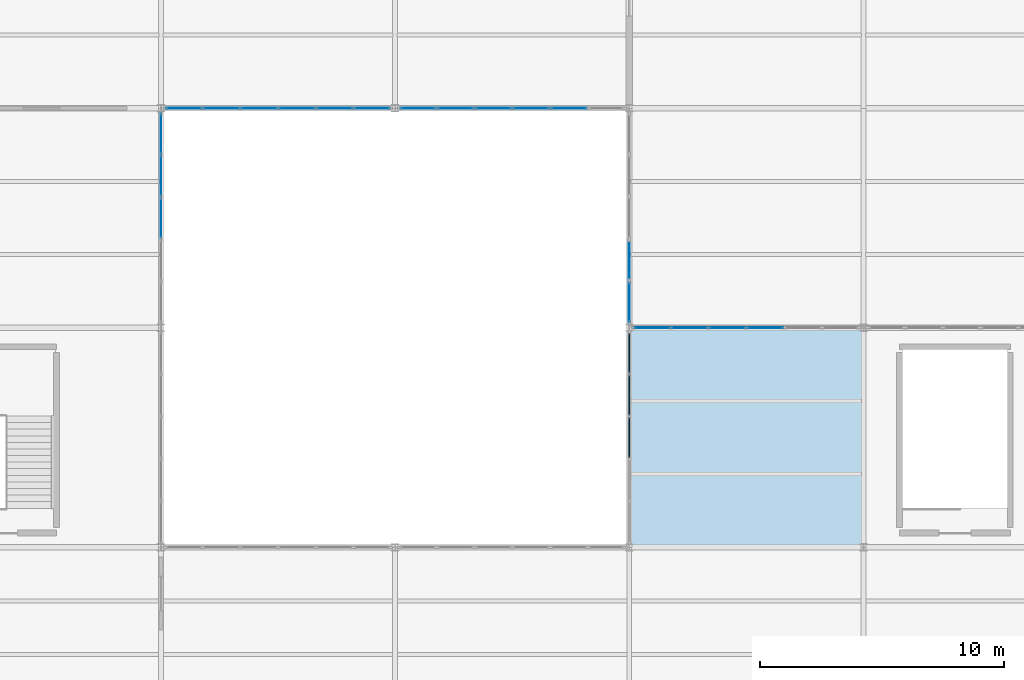
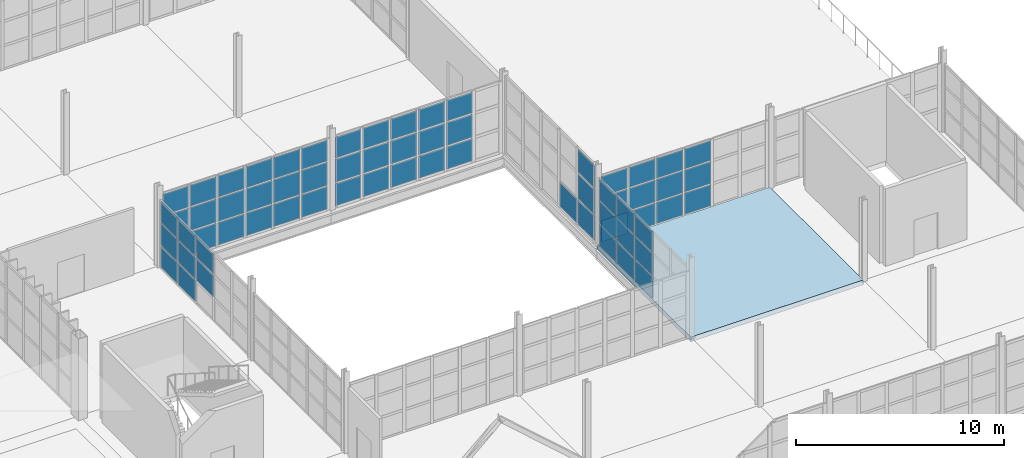
# One storey, part 91 of 120: 66 plates, 1 slab, 6 elements without a shape of their own.
"""IFC4 building model written with IfcOpenShell, lengths in metres."""

from ifc_helpers import new_model, si_unit, direction, frame, origin, origin_2d, place, context, subcontext, project, spatial, polyline, rectangle, outline, extrude, material, layer, layer_set, type_object, element, aggregate, save


model = new_model("IFC4")

# Units and contexts
model_context = context("Model", 3, precision=1e-05, world=origin(), true_north=direction((0.0, 1.0)))
body_context = subcontext(model_context, "Body", "Model", "MODEL_VIEW")
ifc_project = project(units=[si_unit("LENGTHUNIT", "METRE"), si_unit("AREAUNIT", "SQUARE_METRE"), si_unit("VOLUMEUNIT", "CUBIC_METRE"), si_unit("PLANEANGLEUNIT", "RADIAN"), si_unit("MASSUNIT", "GRAM", prefix="KILO")], contexts=[model_context])

# Site, building, storey
site_placement = place(None, origin())
site = spatial("IfcSite", under=ifc_project, at=site_placement, CompositionType="ELEMENT")
building_placement = place(site_placement, origin())
building = spatial("IfcBuilding", under=site, at=building_placement, Name="Zarnetskaya Central Station", CompositionType="ELEMENT")
storey_placement = place(building_placement, frame((0.0, 0.0, 5.39990234375)))
storey = spatial("IfcBuildingStorey", under=building, at=storey_placement, Name="L01", CompositionType="ELEMENT", Elevation=5.39990234375)

# Curtain wall, plates
ifc_material_1 = material(Name="Low-E insulated glass", Category="glass")
ifc_layer_1 = layer(ifc_material_1, 0.159912109375, Name="Low-E insulated glass", Category="glass")
ifc_layer_set_1 = layer_set([ifc_layer_1], Name="Low-E insulated glass")
curtain_wall_type = type_object("IfcCurtainWallType", Name="CW-SYS-06", PredefinedType="USERDEFINED", material=ifc_layer_set_1)
curtain_wall_1_placement = place(storey_placement, origin())
curtain_wall_1 = element("IfcCurtainWall", 1, at=curtain_wall_1_placement, inside=storey, type_object=curtain_wall_type, Name="Curtain wall CW-L01-130", ObjectType="CURTAIN WALL", PredefinedType="USERDEFINED")
ifc_layer_2 = layer(ifc_material_1, 0.028076171875, Name="Low-E insulated glass", Category="glass")
ifc_layer_set_2 = layer_set([ifc_layer_2], Name="Low-E insulated glass")
plate_type_1 = type_object("IfcPlateType", Name="CW-PAN-28", PredefinedType="CURTAIN_PANEL", material=ifc_layer_set_2)
plate_1_placement = place(storey_placement, frame((151.125, 31.199951171875, 0.080078125), z_axis=(0.0, 0.0, 1.0), x_axis=(-1.0, 0.0, 0.0)))
plate_1 = element("IfcPlate", 2, at=plate_1_placement, type_object=plate_type_1, Name="CW-02 panel 2.1", PredefinedType="CURTAIN_PANEL", context=body_context, shape_type="SweptSolid", body=[
    extrude(rectangle(XDim=1.469970703125, YDim=0.028076171875, at=origin_2d()), origin(), (0.0, 0.0, 1.0), 1.30810546875),
])
plate_2_placement = place(storey_placement, frame((151.125, 31.199951171875, 1.46826171875), z_axis=(0.0, 0.0, 1.0), x_axis=(-1.0, 0.0, 0.0)))
plate_2 = element("IfcPlate", 3, at=plate_2_placement, type_object=plate_type_1, Name="CW-02 panel 2.2", PredefinedType="CURTAIN_PANEL", context=body_context, shape_type="SweptSolid", body=[
    extrude(rectangle(XDim=1.469970703125, YDim=0.028076171875, at=origin_2d()), origin(), (0.0, 0.0, 1.0), 1.347900390625),
])
plate_3_placement = place(storey_placement, frame((151.125, 31.199951171875, 2.89599609375), z_axis=(0.0, 0.0, 1.0), x_axis=(-1.0, 0.0, 0.0)))
plate_3 = element("IfcPlate", 4, at=plate_3_placement, type_object=plate_type_1, Name="CW-02 panel 2.3", PredefinedType="CURTAIN_PANEL", context=body_context, shape_type="SweptSolid", body=[
    extrude(rectangle(XDim=1.469970703125, YDim=0.028076171875, at=origin_2d()), origin(), (0.0, 0.0, 1.0), 1.22412109375),
])
plate_4_placement = place(storey_placement, frame((149.574951171875, 31.199951171875, 0.080078125), z_axis=(0.0, 0.0, 1.0), x_axis=(-1.0, 0.0, 0.0)))
plate_4 = element("IfcPlate", 5, at=plate_4_placement, type_object=plate_type_1, Name="CW-02 panel 3.1", PredefinedType="CURTAIN_PANEL", context=body_context, shape_type="SweptSolid", body=[
    extrude(rectangle(XDim=1.469970703125, YDim=0.028076171875, at=origin_2d()), origin(), (0.0, 0.0, 1.0), 1.30810546875),
])
plate_5_placement = place(storey_placement, frame((149.574951171875, 31.199951171875, 1.46826171875), z_axis=(0.0, 0.0, 1.0), x_axis=(-1.0, 0.0, 0.0)))
plate_5 = element("IfcPlate", 6, at=plate_5_placement, type_object=plate_type_1, Name="CW-02 panel 3.2", PredefinedType="CURTAIN_PANEL", context=body_context, shape_type="SweptSolid", body=[
    extrude(rectangle(XDim=1.469970703125, YDim=0.028076171875, at=origin_2d()), origin(), (0.0, 0.0, 1.0), 1.347900390625),
])
plate_6_placement = place(storey_placement, frame((149.574951171875, 31.199951171875, 2.89599609375), z_axis=(0.0, 0.0, 1.0), x_axis=(-1.0, 0.0, 0.0)))
plate_6 = element("IfcPlate", 7, at=plate_6_placement, type_object=plate_type_1, Name="CW-02 panel 3.3", PredefinedType="CURTAIN_PANEL", context=body_context, shape_type="SweptSolid", body=[
    extrude(rectangle(XDim=1.469970703125, YDim=0.028076171875, at=origin_2d()), origin(), (0.0, 0.0, 1.0), 1.22412109375),
])
plate_7_placement = place(storey_placement, frame((148.02490234375, 31.199951171875, 0.080078125), z_axis=(0.0, 0.0, 1.0), x_axis=(-1.0, 0.0, 0.0)))
plate_7 = element("IfcPlate", 8, at=plate_7_placement, type_object=plate_type_1, Name="CW-02 panel 4.1", PredefinedType="CURTAIN_PANEL", context=body_context, shape_type="SweptSolid", body=[
    extrude(rectangle(XDim=1.469970703125, YDim=0.028076171875, at=origin_2d()), origin(), (0.0, 0.0, 1.0), 1.30810546875),
])
plate_8_placement = place(storey_placement, frame((148.02490234375, 31.199951171875, 1.46826171875), z_axis=(0.0, 0.0, 1.0), x_axis=(-1.0, 0.0, 0.0)))
plate_8 = element("IfcPlate", 9, at=plate_8_placement, type_object=plate_type_1, Name="CW-02 panel 4.2", PredefinedType="CURTAIN_PANEL", context=body_context, shape_type="SweptSolid", body=[
    extrude(rectangle(XDim=1.469970703125, YDim=0.028076171875, at=origin_2d()), origin(), (0.0, 0.0, 1.0), 1.347900390625),
])
plate_9_placement = place(storey_placement, frame((148.02490234375, 31.199951171875, 2.89599609375), z_axis=(0.0, 0.0, 1.0), x_axis=(-1.0, 0.0, 0.0)))
plate_9 = element("IfcPlate", 10, at=plate_9_placement, type_object=plate_type_1, Name="CW-02 panel 4.3", PredefinedType="CURTAIN_PANEL", context=body_context, shape_type="SweptSolid", body=[
    extrude(rectangle(XDim=1.469970703125, YDim=0.028076171875, at=origin_2d()), origin(), (0.0, 0.0, 1.0), 1.22412109375),
])
plate_10_placement = place(storey_placement, frame((146.47509765625, 31.199951171875, 0.080078125), z_axis=(0.0, 0.0, 1.0), x_axis=(-1.0, 0.0, 0.0)))
plate_10 = element("IfcPlate", 11, at=plate_10_placement, type_object=plate_type_1, Name="CW-02 panel 5.1", PredefinedType="CURTAIN_PANEL", context=body_context, shape_type="SweptSolid", body=[
    extrude(rectangle(XDim=1.469970703125, YDim=0.028076171875, at=origin_2d()), origin(), (0.0, 0.0, 1.0), 1.30810546875),
])
plate_11_placement = place(storey_placement, frame((146.47509765625, 31.199951171875, 1.46826171875), z_axis=(0.0, 0.0, 1.0), x_axis=(-1.0, 0.0, 0.0)))
plate_11 = element("IfcPlate", 12, at=plate_11_placement, type_object=plate_type_1, Name="CW-02 panel 5.2", PredefinedType="CURTAIN_PANEL", context=body_context, shape_type="SweptSolid", body=[
    extrude(rectangle(XDim=1.469970703125, YDim=0.028076171875, at=origin_2d()), origin(), (0.0, 0.0, 1.0), 1.347900390625),
])
plate_12_placement = place(storey_placement, frame((146.47509765625, 31.199951171875, 2.89599609375), z_axis=(0.0, 0.0, 1.0), x_axis=(-1.0, 0.0, 0.0)))
plate_12 = element("IfcPlate", 13, at=plate_12_placement, type_object=plate_type_1, Name="CW-02 panel 5.3", PredefinedType="CURTAIN_PANEL", context=body_context, shape_type="SweptSolid", body=[
    extrude(rectangle(XDim=1.469970703125, YDim=0.028076171875, at=origin_2d()), origin(), (0.0, 0.0, 1.0), 1.22412109375),
])
plate_13_placement = place(storey_placement, frame((144.945068359375, 31.199951171875, 0.080078125), z_axis=(0.0, 0.0, 1.0), x_axis=(-1.0, 0.0, 0.0)))
plate_13 = element("IfcPlate", 14, at=plate_13_placement, type_object=plate_type_1, Name="CW-02 panel 6.1", PredefinedType="CURTAIN_PANEL", context=body_context, shape_type="SweptSolid", body=[
    extrude(rectangle(XDim=1.429931640625, YDim=0.028076171875, at=origin_2d()), origin(), (0.0, 0.0, 1.0), 1.30810546875),
])
plate_14_placement = place(storey_placement, frame((144.945068359375, 31.199951171875, 1.46826171875), z_axis=(0.0, 0.0, 1.0), x_axis=(-1.0, 0.0, 0.0)))
plate_14 = element("IfcPlate", 15, at=plate_14_placement, type_object=plate_type_1, Name="CW-02 panel 6.2", PredefinedType="CURTAIN_PANEL", context=body_context, shape_type="SweptSolid", body=[
    extrude(rectangle(XDim=1.429931640625, YDim=0.028076171875, at=origin_2d()), origin(), (0.0, 0.0, 1.0), 1.347900390625),
])
plate_15_placement = place(storey_placement, frame((144.945068359375, 31.199951171875, 2.89599609375), z_axis=(0.0, 0.0, 1.0), x_axis=(-1.0, 0.0, 0.0)))
plate_15 = element("IfcPlate", 16, at=plate_15_placement, type_object=plate_type_1, Name="CW-02 panel 6.3", PredefinedType="CURTAIN_PANEL", context=body_context, shape_type="SweptSolid", body=[
    extrude(rectangle(XDim=1.429931640625, YDim=0.028076171875, at=origin_2d()), origin(), (0.0, 0.0, 1.0), 1.22412109375),
])
aggregate(curtain_wall_1, [plate_1, plate_2, plate_3, plate_4, plate_5, plate_6, plate_7, plate_8, plate_9, plate_10, plate_11, plate_12, plate_13, plate_14, plate_15])

curtain_wall_2_placement = place(storey_placement, origin())
curtain_wall_2 = element("IfcCurtainWall", 17, at=curtain_wall_2_placement, inside=storey, type_object=curtain_wall_type, Name="Curtain wall CW-L01-116", ObjectType="CURTAIN WALL", PredefinedType="USERDEFINED")
ifc_layer_3 = layer(ifc_material_1, 0.031982421875, Name="Low-E insulated glass", Category="glass")
ifc_layer_set_3 = layer_set([ifc_layer_3], Name="Low-E insulated glass")
plate_type_2 = type_object("IfcPlateType", Name="CW-PAN-32", PredefinedType="CURTAIN_PANEL", material=ifc_layer_set_3)
plate_16_placement = place(storey_placement, frame((153.60009765625, 24.9599609375, 0.080078125), z_axis=(0.0, 0.0, 1.0), x_axis=(0.0, -1.0, 0.0)))
plate_16 = element("IfcPlate", 18, at=plate_16_placement, type_object=plate_type_2, Name="CW-02 panel 4.1", PredefinedType="CURTAIN_PANEL", context=body_context, shape_type="SweptSolid", body=[
    extrude(rectangle(XDim=1.659912109375, YDim=0.031982421875, at=origin_2d()), origin(), (0.0, 0.0, 1.0), 1.43408203125),
])
plate_17_placement = place(storey_placement, frame((153.60009765625, 23.239990234375, 0.080078125), z_axis=(0.0, 0.0, 1.0), x_axis=(0.0, -1.0, 0.0)))
plate_17 = element("IfcPlate", 19, at=plate_17_placement, type_object=plate_type_2, Name="CW-02 panel 5.1", PredefinedType="CURTAIN_PANEL", context=body_context, shape_type="SweptSolid", body=[
    extrude(rectangle(XDim=1.6201171875, YDim=0.031982421875, at=origin_2d()), origin(), (0.0, 0.0, 1.0), 1.43408203125),
])
plate_18_placement = place(storey_placement, frame((153.60009765625, 23.239990234375, 1.593994140625), z_axis=(0.0, 0.0, 1.0), x_axis=(0.0, -1.0, 0.0)))
plate_18 = element("IfcPlate", 20, at=plate_18_placement, type_object=plate_type_2, Name="CW-02 panel 5.2", PredefinedType="CURTAIN_PANEL", context=body_context, shape_type="SweptSolid", body=[
    extrude(rectangle(XDim=1.6201171875, YDim=0.031982421875, at=origin_2d()), origin(), (0.0, 0.0, 1.0), 1.47412109375),
])
plate_19_placement = place(storey_placement, frame((153.60009765625, 23.239990234375, 3.14794921875), z_axis=(0.0, 0.0, 1.0), x_axis=(0.0, -1.0, 0.0)))
plate_19 = element("IfcPlate", 21, at=plate_19_placement, type_object=plate_type_2, Name="CW-02 panel 5.3", PredefinedType="CURTAIN_PANEL", context=body_context, shape_type="SweptSolid", body=[
    extrude(rectangle(XDim=1.6201171875, YDim=0.031982421875, at=origin_2d()), origin(), (0.0, 0.0, 1.0), 1.342041015625),
])
aggregate(curtain_wall_2, [plate_16, plate_17, plate_18, plate_19])

curtain_wall_3_placement = place(storey_placement, origin())
curtain_wall_3 = element("IfcCurtainWall", 22, at=curtain_wall_3_placement, inside=storey, type_object=curtain_wall_type, Name="Curtain wall CW-L01-131", ObjectType="CURTAIN WALL", PredefinedType="USERDEFINED")
plate_20_placement = place(storey_placement, frame((143.0576171875, 31.199951171875, 0.0703125), z_axis=(0.0, 0.0, 1.0), x_axis=(-1.0, 0.0, 0.0)))
plate_20 = element("IfcPlate", 23, at=plate_20_placement, type_object=plate_type_2, Name="CW-02 panel 1.1", PredefinedType="CURTAIN_PANEL", context=body_context, shape_type="SweptSolid", body=[
    extrude(rectangle(XDim=1.445068359375, YDim=0.031982421875, at=origin_2d()), origin(), (0.0, 0.0, 1.0), 1.322998046875),
])
plate_21_placement = place(storey_placement, frame((143.0576171875, 31.199951171875, 1.463134765625), z_axis=(0.0, 0.0, 1.0), x_axis=(-1.0, 0.0, 0.0)))
plate_21 = element("IfcPlate", 24, at=plate_21_placement, type_object=plate_type_2, Name="CW-02 panel 1.2", PredefinedType="CURTAIN_PANEL", context=body_context, shape_type="SweptSolid", body=[
    extrude(rectangle(XDim=1.445068359375, YDim=0.031982421875, at=origin_2d()), origin(), (0.0, 0.0, 1.0), 1.35791015625),
])
plate_22_placement = place(storey_placement, frame((143.0576171875, 31.199951171875, 2.89111328125), z_axis=(0.0, 0.0, 1.0), x_axis=(-1.0, 0.0, 0.0)))
plate_22 = element("IfcPlate", 25, at=plate_22_placement, type_object=plate_type_2, Name="CW-02 panel 1.3", PredefinedType="CURTAIN_PANEL", context=body_context, shape_type="SweptSolid", body=[
    extrude(rectangle(XDim=1.445068359375, YDim=0.031982421875, at=origin_2d()), origin(), (0.0, 0.0, 1.0), 1.239013671875),
])
plate_23_placement = place(storey_placement, frame((141.52490234375, 31.199951171875, 0.0703125), z_axis=(0.0, 0.0, 1.0), x_axis=(-1.0, 0.0, 0.0)))
plate_23 = element("IfcPlate", 26, at=plate_23_placement, type_object=plate_type_2, Name="CW-02 panel 2.1", PredefinedType="CURTAIN_PANEL", context=body_context, shape_type="SweptSolid", body=[
    extrude(rectangle(XDim=1.47998046875, YDim=0.031982421875, at=origin_2d()), origin(), (0.0, 0.0, 1.0), 1.322998046875),
])
plate_24_placement = place(storey_placement, frame((141.52490234375, 31.199951171875, 1.463134765625), z_axis=(0.0, 0.0, 1.0), x_axis=(-1.0, 0.0, 0.0)))
plate_24 = element("IfcPlate", 27, at=plate_24_placement, type_object=plate_type_2, Name="CW-02 panel 2.2", PredefinedType="CURTAIN_PANEL", context=body_context, shape_type="SweptSolid", body=[
    extrude(rectangle(XDim=1.47998046875, YDim=0.031982421875, at=origin_2d()), origin(), (0.0, 0.0, 1.0), 1.35791015625),
])
plate_25_placement = place(storey_placement, frame((141.52490234375, 31.199951171875, 2.89111328125), z_axis=(0.0, 0.0, 1.0), x_axis=(-1.0, 0.0, 0.0)))
plate_25 = element("IfcPlate", 28, at=plate_25_placement, type_object=plate_type_2, Name="CW-02 panel 2.3", PredefinedType="CURTAIN_PANEL", context=body_context, shape_type="SweptSolid", body=[
    extrude(rectangle(XDim=1.47998046875, YDim=0.031982421875, at=origin_2d()), origin(), (0.0, 0.0, 1.0), 1.239013671875),
])
plate_26_placement = place(storey_placement, frame((139.97509765625, 31.199951171875, 0.0703125), z_axis=(0.0, 0.0, 1.0), x_axis=(-1.0, 0.0, 0.0)))
plate_26 = element("IfcPlate", 29, at=plate_26_placement, type_object=plate_type_2, Name="CW-02 panel 3.1", PredefinedType="CURTAIN_PANEL", context=body_context, shape_type="SweptSolid", body=[
    extrude(rectangle(XDim=1.47998046875, YDim=0.031982421875, at=origin_2d()), origin(), (0.0, 0.0, 1.0), 1.322998046875),
])
plate_27_placement = place(storey_placement, frame((139.97509765625, 31.199951171875, 1.463134765625), z_axis=(0.0, 0.0, 1.0), x_axis=(-1.0, 0.0, 0.0)))
plate_27 = element("IfcPlate", 30, at=plate_27_placement, type_object=plate_type_2, Name="CW-02 panel 3.2", PredefinedType="CURTAIN_PANEL", context=body_context, shape_type="SweptSolid", body=[
    extrude(rectangle(XDim=1.47998046875, YDim=0.031982421875, at=origin_2d()), origin(), (0.0, 0.0, 1.0), 1.35791015625),
])
plate_28_placement = place(storey_placement, frame((139.97509765625, 31.199951171875, 2.89111328125), z_axis=(0.0, 0.0, 1.0), x_axis=(-1.0, 0.0, 0.0)))
plate_28 = element("IfcPlate", 31, at=plate_28_placement, type_object=plate_type_2, Name="CW-02 panel 3.3", PredefinedType="CURTAIN_PANEL", context=body_context, shape_type="SweptSolid", body=[
    extrude(rectangle(XDim=1.47998046875, YDim=0.031982421875, at=origin_2d()), origin(), (0.0, 0.0, 1.0), 1.239013671875),
])
plate_29_placement = place(storey_placement, frame((138.425048828125, 31.199951171875, 0.0703125), z_axis=(0.0, 0.0, 1.0), x_axis=(-1.0, 0.0, 0.0)))
plate_29 = element("IfcPlate", 32, at=plate_29_placement, type_object=plate_type_2, Name="CW-02 panel 4.1", PredefinedType="CURTAIN_PANEL", context=body_context, shape_type="SweptSolid", body=[
    extrude(rectangle(XDim=1.47998046875, YDim=0.031982421875, at=origin_2d()), origin(), (0.0, 0.0, 1.0), 1.322998046875),
])
plate_30_placement = place(storey_placement, frame((138.425048828125, 31.199951171875, 1.463134765625), z_axis=(0.0, 0.0, 1.0), x_axis=(-1.0, 0.0, 0.0)))
plate_30 = element("IfcPlate", 33, at=plate_30_placement, type_object=plate_type_2, Name="CW-02 panel 4.2", PredefinedType="CURTAIN_PANEL", context=body_context, shape_type="SweptSolid", body=[
    extrude(rectangle(XDim=1.47998046875, YDim=0.031982421875, at=origin_2d()), origin(), (0.0, 0.0, 1.0), 1.35791015625),
])
plate_31_placement = place(storey_placement, frame((138.425048828125, 31.199951171875, 2.89111328125), z_axis=(0.0, 0.0, 1.0), x_axis=(-1.0, 0.0, 0.0)))
plate_31 = element("IfcPlate", 34, at=plate_31_placement, type_object=plate_type_2, Name="CW-02 panel 4.3", PredefinedType="CURTAIN_PANEL", context=body_context, shape_type="SweptSolid", body=[
    extrude(rectangle(XDim=1.47998046875, YDim=0.031982421875, at=origin_2d()), origin(), (0.0, 0.0, 1.0), 1.239013671875),
])
plate_32_placement = place(storey_placement, frame((136.875, 31.199951171875, 0.0703125), z_axis=(0.0, 0.0, 1.0), x_axis=(-1.0, 0.0, 0.0)))
plate_32 = element("IfcPlate", 35, at=plate_32_placement, type_object=plate_type_2, Name="CW-02 panel 5.1", PredefinedType="CURTAIN_PANEL", context=body_context, shape_type="SweptSolid", body=[
    extrude(rectangle(XDim=1.47998046875, YDim=0.031982421875, at=origin_2d()), origin(), (0.0, 0.0, 1.0), 1.322998046875),
])
plate_33_placement = place(storey_placement, frame((136.875, 31.199951171875, 1.463134765625), z_axis=(0.0, 0.0, 1.0), x_axis=(-1.0, 0.0, 0.0)))
plate_33 = element("IfcPlate", 36, at=plate_33_placement, type_object=plate_type_2, Name="CW-02 panel 5.2", PredefinedType="CURTAIN_PANEL", context=body_context, shape_type="SweptSolid", body=[
    extrude(rectangle(XDim=1.47998046875, YDim=0.031982421875, at=origin_2d()), origin(), (0.0, 0.0, 1.0), 1.35791015625),
])
plate_34_placement = place(storey_placement, frame((136.875, 31.199951171875, 2.89111328125), z_axis=(0.0, 0.0, 1.0), x_axis=(-1.0, 0.0, 0.0)))
plate_34 = element("IfcPlate", 37, at=plate_34_placement, type_object=plate_type_2, Name="CW-02 panel 5.3", PredefinedType="CURTAIN_PANEL", context=body_context, shape_type="SweptSolid", body=[
    extrude(rectangle(XDim=1.47998046875, YDim=0.031982421875, at=origin_2d()), origin(), (0.0, 0.0, 1.0), 1.239013671875),
])
plate_35_placement = place(storey_placement, frame((135.342529296875, 31.199951171875, 0.0703125), z_axis=(0.0, 0.0, 1.0), x_axis=(-1.0, 0.0, 0.0)))
plate_35 = element("IfcPlate", 38, at=plate_35_placement, type_object=plate_type_2, Name="CW-02 panel 6.1", PredefinedType="CURTAIN_PANEL", context=body_context, shape_type="SweptSolid", body=[
    extrude(rectangle(XDim=1.445068359375, YDim=0.031982421875, at=origin_2d()), origin(), (0.0, 0.0, 1.0), 1.322998046875),
])
plate_36_placement = place(storey_placement, frame((135.342529296875, 31.199951171875, 1.463134765625), z_axis=(0.0, 0.0, 1.0), x_axis=(-1.0, 0.0, 0.0)))
plate_36 = element("IfcPlate", 39, at=plate_36_placement, type_object=plate_type_2, Name="CW-02 panel 6.2", PredefinedType="CURTAIN_PANEL", context=body_context, shape_type="SweptSolid", body=[
    extrude(rectangle(XDim=1.445068359375, YDim=0.031982421875, at=origin_2d()), origin(), (0.0, 0.0, 1.0), 1.35791015625),
])
plate_37_placement = place(storey_placement, frame((135.342529296875, 31.199951171875, 2.89111328125), z_axis=(0.0, 0.0, 1.0), x_axis=(-1.0, 0.0, 0.0)))
plate_37 = element("IfcPlate", 40, at=plate_37_placement, type_object=plate_type_2, Name="CW-02 panel 6.3", PredefinedType="CURTAIN_PANEL", context=body_context, shape_type="SweptSolid", body=[
    extrude(rectangle(XDim=1.445068359375, YDim=0.031982421875, at=origin_2d()), origin(), (0.0, 0.0, 1.0), 1.239013671875),
])
aggregate(curtain_wall_3, [plate_20, plate_21, plate_22, plate_23, plate_24, plate_25, plate_26, plate_27, plate_28, plate_29, plate_30, plate_31, plate_32, plate_33, plate_34, plate_35, plate_36, plate_37])

curtain_wall_4_placement = place(storey_placement, origin())
curtain_wall_4 = element("IfcCurtainWall", 41, at=curtain_wall_4_placement, inside=storey, type_object=curtain_wall_type, Name="Curtain wall CW-L01-117", ObjectType="CURTAIN WALL", PredefinedType="USERDEFINED")
ifc_layer_4 = layer(ifc_material_1, 0.035888671875, Name="Low-E insulated glass", Category="glass")
ifc_layer_set_4 = layer_set([ifc_layer_4], Name="Low-E insulated glass")
plate_type_3 = type_object("IfcPlateType", Name="CW-PAN-36", PredefinedType="CURTAIN_PANEL", material=ifc_layer_set_4)
plate_38_placement = place(storey_placement, frame((154.54248046875, 22.199951171875, 0.070068359375), z_axis=(0.0, 0.0, 1.0), x_axis=(1.0, 0.0, 0.0)))
plate_38 = element("IfcPlate", 42, at=plate_38_placement, type_object=plate_type_3, Name="CW-02 panel 1.1", PredefinedType="CURTAIN_PANEL", context=body_context, shape_type="SweptSolid", body=[
    extrude(rectangle(XDim=1.445068359375, YDim=0.035888671875, at=origin_2d()), origin(), (0.0, 0.0, 1.0), 1.248046875),
])
plate_39_placement = place(storey_placement, frame((154.54248046875, 22.199951171875, 1.38818359375), z_axis=(0.0, 0.0, 1.0), x_axis=(1.0, 0.0, 0.0)))
plate_39 = element("IfcPlate", 43, at=plate_39_placement, type_object=plate_type_3, Name="CW-02 panel 1.2", PredefinedType="CURTAIN_PANEL", context=body_context, shape_type="SweptSolid", body=[
    extrude(rectangle(XDim=1.445068359375, YDim=0.035888671875, at=origin_2d()), origin(), (0.0, 0.0, 1.0), 1.282958984375),
])
plate_40_placement = place(storey_placement, frame((154.54248046875, 22.199951171875, 2.7412109375), z_axis=(0.0, 0.0, 1.0), x_axis=(1.0, 0.0, 0.0)))
plate_40 = element("IfcPlate", 44, at=plate_40_placement, type_object=plate_type_3, Name="CW-02 panel 1.3", PredefinedType="CURTAIN_PANEL", context=body_context, shape_type="SweptSolid", body=[
    extrude(rectangle(XDim=1.445068359375, YDim=0.035888671875, at=origin_2d()), origin(), (0.0, 0.0, 1.0), 1.1689453125),
])
plate_41_placement = place(storey_placement, frame((156.074951171875, 22.199951171875, 0.070068359375), z_axis=(0.0, 0.0, 1.0), x_axis=(1.0, 0.0, 0.0)))
plate_41 = element("IfcPlate", 45, at=plate_41_placement, type_object=plate_type_3, Name="CW-02 panel 2.1", PredefinedType="CURTAIN_PANEL", context=body_context, shape_type="SweptSolid", body=[
    extrude(rectangle(XDim=1.47998046875, YDim=0.035888671875, at=origin_2d()), origin(), (0.0, 0.0, 1.0), 1.248046875),
])
plate_42_placement = place(storey_placement, frame((156.074951171875, 22.199951171875, 1.38818359375), z_axis=(0.0, 0.0, 1.0), x_axis=(1.0, 0.0, 0.0)))
plate_42 = element("IfcPlate", 46, at=plate_42_placement, type_object=plate_type_3, Name="CW-02 panel 2.2", PredefinedType="CURTAIN_PANEL", context=body_context, shape_type="SweptSolid", body=[
    extrude(rectangle(XDim=1.47998046875, YDim=0.035888671875, at=origin_2d()), origin(), (0.0, 0.0, 1.0), 1.282958984375),
])
plate_43_placement = place(storey_placement, frame((156.074951171875, 22.199951171875, 2.7412109375), z_axis=(0.0, 0.0, 1.0), x_axis=(1.0, 0.0, 0.0)))
plate_43 = element("IfcPlate", 47, at=plate_43_placement, type_object=plate_type_3, Name="CW-02 panel 2.3", PredefinedType="CURTAIN_PANEL", context=body_context, shape_type="SweptSolid", body=[
    extrude(rectangle(XDim=1.47998046875, YDim=0.035888671875, at=origin_2d()), origin(), (0.0, 0.0, 1.0), 1.1689453125),
])
plate_44_placement = place(storey_placement, frame((157.625, 22.199951171875, 0.070068359375), z_axis=(0.0, 0.0, 1.0), x_axis=(1.0, 0.0, 0.0)))
plate_44 = element("IfcPlate", 48, at=plate_44_placement, type_object=plate_type_3, Name="CW-02 panel 3.1", PredefinedType="CURTAIN_PANEL", context=body_context, shape_type="SweptSolid", body=[
    extrude(rectangle(XDim=1.47998046875, YDim=0.035888671875, at=origin_2d()), origin(), (0.0, 0.0, 1.0), 1.248046875),
])
plate_45_placement = place(storey_placement, frame((157.625, 22.199951171875, 1.38818359375), z_axis=(0.0, 0.0, 1.0), x_axis=(1.0, 0.0, 0.0)))
plate_45 = element("IfcPlate", 49, at=plate_45_placement, type_object=plate_type_3, Name="CW-02 panel 3.2", PredefinedType="CURTAIN_PANEL", context=body_context, shape_type="SweptSolid", body=[
    extrude(rectangle(XDim=1.47998046875, YDim=0.035888671875, at=origin_2d()), origin(), (0.0, 0.0, 1.0), 1.282958984375),
])
plate_46_placement = place(storey_placement, frame((157.625, 22.199951171875, 2.7412109375), z_axis=(0.0, 0.0, 1.0), x_axis=(1.0, 0.0, 0.0)))
plate_46 = element("IfcPlate", 50, at=plate_46_placement, type_object=plate_type_3, Name="CW-02 panel 3.3", PredefinedType="CURTAIN_PANEL", context=body_context, shape_type="SweptSolid", body=[
    extrude(rectangle(XDim=1.47998046875, YDim=0.035888671875, at=origin_2d()), origin(), (0.0, 0.0, 1.0), 1.1689453125),
])
plate_47_placement = place(storey_placement, frame((159.175048828125, 22.199951171875, 0.070068359375), z_axis=(0.0, 0.0, 1.0), x_axis=(1.0, 0.0, 0.0)))
plate_47 = element("IfcPlate", 51, at=plate_47_placement, type_object=plate_type_3, Name="CW-02 panel 4.1", PredefinedType="CURTAIN_PANEL", context=body_context, shape_type="SweptSolid", body=[
    extrude(rectangle(XDim=1.47998046875, YDim=0.035888671875, at=origin_2d()), origin(), (0.0, 0.0, 1.0), 1.248046875),
])
plate_48_placement = place(storey_placement, frame((159.175048828125, 22.199951171875, 1.38818359375), z_axis=(0.0, 0.0, 1.0), x_axis=(1.0, 0.0, 0.0)))
plate_48 = element("IfcPlate", 52, at=plate_48_placement, type_object=plate_type_3, Name="CW-02 panel 4.2", PredefinedType="CURTAIN_PANEL", context=body_context, shape_type="SweptSolid", body=[
    extrude(rectangle(XDim=1.47998046875, YDim=0.035888671875, at=origin_2d()), origin(), (0.0, 0.0, 1.0), 1.282958984375),
])
plate_49_placement = place(storey_placement, frame((159.175048828125, 22.199951171875, 2.7412109375), z_axis=(0.0, 0.0, 1.0), x_axis=(1.0, 0.0, 0.0)))
plate_49 = element("IfcPlate", 53, at=plate_49_placement, type_object=plate_type_3, Name="CW-02 panel 4.3", PredefinedType="CURTAIN_PANEL", context=body_context, shape_type="SweptSolid", body=[
    extrude(rectangle(XDim=1.47998046875, YDim=0.035888671875, at=origin_2d()), origin(), (0.0, 0.0, 1.0), 1.1689453125),
])
aggregate(curtain_wall_4, [plate_38, plate_39, plate_40, plate_41, plate_42, plate_43, plate_44, plate_45, plate_46, plate_47, plate_48, plate_49])

curtain_wall_5_placement = place(storey_placement, origin())
curtain_wall_5 = element("IfcCurtainWall", 54, at=curtain_wall_5_placement, inside=storey, type_object=curtain_wall_type, Name="Curtain wall CW-L01-132", ObjectType="CURTAIN WALL", PredefinedType="USERDEFINED")
plate_50_placement = place(storey_placement, frame((134.39990234375, 30.159912109375, 0.080078125), z_axis=(0.0, 0.0, 1.0), x_axis=(0.0, -1.0, 0.0)))
plate_50 = element("IfcPlate", 55, at=plate_50_placement, type_object=plate_type_3, Name="CW-02 panel 1.1", PredefinedType="CURTAIN_PANEL", context=body_context, shape_type="SweptSolid", body=[
    extrude(rectangle(XDim=1.6201171875, YDim=0.035888671875, at=origin_2d()), origin(), (0.0, 0.0, 1.0), 1.237060546875),
])
plate_51_placement = place(storey_placement, frame((134.39990234375, 30.159912109375, 1.397216796875), z_axis=(0.0, 0.0, 1.0), x_axis=(0.0, -1.0, 0.0)))
plate_51 = element("IfcPlate", 56, at=plate_51_placement, type_object=plate_type_3, Name="CW-02 panel 1.2", PredefinedType="CURTAIN_PANEL", context=body_context, shape_type="SweptSolid", body=[
    extrude(rectangle(XDim=1.6201171875, YDim=0.035888671875, at=origin_2d()), origin(), (0.0, 0.0, 1.0), 1.27587890625),
])
plate_52_placement = place(storey_placement, frame((134.39990234375, 30.159912109375, 2.7529296875), z_axis=(0.0, 0.0, 1.0), x_axis=(0.0, -1.0, 0.0)))
plate_52 = element("IfcPlate", 57, at=plate_52_placement, type_object=plate_type_3, Name="CW-02 panel 1.3", PredefinedType="CURTAIN_PANEL", context=body_context, shape_type="SweptSolid", body=[
    extrude(rectangle(XDim=1.6201171875, YDim=0.035888671875, at=origin_2d()), origin(), (0.0, 0.0, 1.0), 1.156982421875),
])
plate_53_placement = place(storey_placement, frame((134.39990234375, 28.43994140625, 0.080078125), z_axis=(0.0, 0.0, 1.0), x_axis=(0.0, -1.0, 0.0)))
plate_53 = element("IfcPlate", 58, at=plate_53_placement, type_object=plate_type_3, Name="CW-02 panel 2.1", PredefinedType="CURTAIN_PANEL", context=body_context, shape_type="SweptSolid", body=[
    extrude(rectangle(XDim=1.659912109375, YDim=0.035888671875, at=origin_2d()), origin(), (0.0, 0.0, 1.0), 1.237060546875),
])
plate_54_placement = place(storey_placement, frame((134.39990234375, 28.43994140625, 1.397216796875), z_axis=(0.0, 0.0, 1.0), x_axis=(0.0, -1.0, 0.0)))
plate_54 = element("IfcPlate", 59, at=plate_54_placement, type_object=plate_type_3, Name="CW-02 panel 2.2", PredefinedType="CURTAIN_PANEL", context=body_context, shape_type="SweptSolid", body=[
    extrude(rectangle(XDim=1.659912109375, YDim=0.035888671875, at=origin_2d()), origin(), (0.0, 0.0, 1.0), 1.27587890625),
])
plate_55_placement = place(storey_placement, frame((134.39990234375, 28.43994140625, 2.7529296875), z_axis=(0.0, 0.0, 1.0), x_axis=(0.0, -1.0, 0.0)))
plate_55 = element("IfcPlate", 60, at=plate_55_placement, type_object=plate_type_3, Name="CW-02 panel 2.3", PredefinedType="CURTAIN_PANEL", context=body_context, shape_type="SweptSolid", body=[
    extrude(rectangle(XDim=1.659912109375, YDim=0.035888671875, at=origin_2d()), origin(), (0.0, 0.0, 1.0), 1.156982421875),
])
plate_56_placement = place(storey_placement, frame((134.39990234375, 26.699951171875, 1.397216796875), z_axis=(0.0, 0.0, 1.0), x_axis=(0.0, -1.0, 0.0)))
plate_56 = element("IfcPlate", 61, at=plate_56_placement, type_object=plate_type_3, Name="CW-02 panel 3.2", PredefinedType="CURTAIN_PANEL", context=body_context, shape_type="SweptSolid", body=[
    extrude(rectangle(XDim=1.659912109375, YDim=0.035888671875, at=origin_2d()), origin(), (0.0, 0.0, 1.0), 1.27587890625),
])
plate_57_placement = place(storey_placement, frame((134.39990234375, 26.699951171875, 2.7529296875), z_axis=(0.0, 0.0, 1.0), x_axis=(0.0, -1.0, 0.0)))
plate_57 = element("IfcPlate", 62, at=plate_57_placement, type_object=plate_type_3, Name="CW-02 panel 3.3", PredefinedType="CURTAIN_PANEL", context=body_context, shape_type="SweptSolid", body=[
    extrude(rectangle(XDim=1.659912109375, YDim=0.035888671875, at=origin_2d()), origin(), (0.0, 0.0, 1.0), 1.156982421875),
])
aggregate(curtain_wall_5, [plate_50, plate_51, plate_52, plate_53, plate_54, plate_55, plate_56, plate_57])

curtain_wall_6_placement = place(storey_placement, origin())
curtain_wall_6 = element("IfcCurtainWall", 63, at=curtain_wall_6_placement, inside=storey, type_object=curtain_wall_type, Name="Curtain wall CW-L01-129", ObjectType="CURTAIN WALL", PredefinedType="USERDEFINED")
ifc_layer_5 = layer(ifc_material_1, 0.0439453125, Name="Low-E insulated glass", Category="glass")
ifc_layer_set_5 = layer_set([ifc_layer_5], Name="Low-E insulated glass")
plate_type_4 = type_object("IfcPlateType", Name="CW-PAN-44", PredefinedType="CURTAIN_PANEL", material=ifc_layer_set_5)
plate_58_placement = place(storey_placement, frame((153.60009765625, 17.699951171875, 0.0703125), z_axis=(0.0, 0.0, 1.0), x_axis=(0.0, 1.0, 0.0)))
plate_58 = element("IfcPlate", 64, at=plate_58_placement, type_object=plate_type_4, Name="CW-02 panel 3.1", PredefinedType="CURTAIN_PANEL", context=body_context, shape_type="SweptSolid", body=[
    extrude(rectangle(XDim=1.669921875, YDim=0.0439453125, at=origin_2d()), origin(), (0.0, 0.0, 1.0), 1.264892578125),
])
plate_59_placement = place(storey_placement, frame((153.60009765625, 17.699951171875, 1.4052734375), z_axis=(0.0, 0.0, 1.0), x_axis=(0.0, 1.0, 0.0)))
plate_59 = element("IfcPlate", 65, at=plate_59_placement, type_object=plate_type_4, Name="CW-02 panel 3.2", PredefinedType="CURTAIN_PANEL", context=body_context, shape_type="SweptSolid", body=[
    extrude(rectangle(XDim=1.669921875, YDim=0.0439453125, at=origin_2d()), origin(), (0.0, 0.0, 1.0), 1.300048828125),
])
plate_60_placement = place(storey_placement, frame((153.60009765625, 17.699951171875, 2.775146484375), z_axis=(0.0, 0.0, 1.0), x_axis=(0.0, 1.0, 0.0)))
plate_60 = element("IfcPlate", 66, at=plate_60_placement, type_object=plate_type_4, Name="CW-02 panel 3.3", PredefinedType="CURTAIN_PANEL", context=body_context, shape_type="SweptSolid", body=[
    extrude(rectangle(XDim=1.669921875, YDim=0.0439453125, at=origin_2d()), origin(), (0.0, 0.0, 1.0), 1.18505859375),
])
plate_61_placement = place(storey_placement, frame((153.60009765625, 19.43994140625, 0.0703125), z_axis=(0.0, 0.0, 1.0), x_axis=(0.0, 1.0, 0.0)))
plate_61 = element("IfcPlate", 67, at=plate_61_placement, type_object=plate_type_4, Name="CW-02 panel 4.1", PredefinedType="CURTAIN_PANEL", context=body_context, shape_type="SweptSolid", body=[
    extrude(rectangle(XDim=1.669921875, YDim=0.0439453125, at=origin_2d()), origin(), (0.0, 0.0, 1.0), 1.264892578125),
])
plate_62_placement = place(storey_placement, frame((153.60009765625, 19.43994140625, 1.4052734375), z_axis=(0.0, 0.0, 1.0), x_axis=(0.0, 1.0, 0.0)))
plate_62 = element("IfcPlate", 68, at=plate_62_placement, type_object=plate_type_4, Name="CW-02 panel 4.2", PredefinedType="CURTAIN_PANEL", context=body_context, shape_type="SweptSolid", body=[
    extrude(rectangle(XDim=1.669921875, YDim=0.0439453125, at=origin_2d()), origin(), (0.0, 0.0, 1.0), 1.300048828125),
])
plate_63_placement = place(storey_placement, frame((153.60009765625, 19.43994140625, 2.775146484375), z_axis=(0.0, 0.0, 1.0), x_axis=(0.0, 1.0, 0.0)))
plate_63 = element("IfcPlate", 69, at=plate_63_placement, type_object=plate_type_4, Name="CW-02 panel 4.3", PredefinedType="CURTAIN_PANEL", context=body_context, shape_type="SweptSolid", body=[
    extrude(rectangle(XDim=1.669921875, YDim=0.0439453125, at=origin_2d()), origin(), (0.0, 0.0, 1.0), 1.18505859375),
])
plate_64_placement = place(storey_placement, frame((153.60009765625, 21.16259765625, 0.0703125), z_axis=(0.0, 0.0, 1.0), x_axis=(0.0, 1.0, 0.0)))
plate_64 = element("IfcPlate", 70, at=plate_64_placement, type_object=plate_type_4, Name="CW-02 panel 5.1", PredefinedType="CURTAIN_PANEL", context=body_context, shape_type="SweptSolid", body=[
    extrude(rectangle(XDim=1.635009765625, YDim=0.0439453125, at=origin_2d()), origin(), (0.0, 0.0, 1.0), 1.264892578125),
])
plate_65_placement = place(storey_placement, frame((153.60009765625, 21.16259765625, 1.4052734375), z_axis=(0.0, 0.0, 1.0), x_axis=(0.0, 1.0, 0.0)))
plate_65 = element("IfcPlate", 71, at=plate_65_placement, type_object=plate_type_4, Name="CW-02 panel 5.2", PredefinedType="CURTAIN_PANEL", context=body_context, shape_type="SweptSolid", body=[
    extrude(rectangle(XDim=1.635009765625, YDim=0.0439453125, at=origin_2d()), origin(), (0.0, 0.0, 1.0), 1.300048828125),
])
plate_66_placement = place(storey_placement, frame((153.60009765625, 21.16259765625, 2.775146484375), z_axis=(0.0, 0.0, 1.0), x_axis=(0.0, 1.0, 0.0)))
plate_66 = element("IfcPlate", 72, at=plate_66_placement, type_object=plate_type_4, Name="CW-02 panel 5.3", PredefinedType="CURTAIN_PANEL", context=body_context, shape_type="SweptSolid", body=[
    extrude(rectangle(XDim=1.635009765625, YDim=0.0439453125, at=origin_2d()), origin(), (0.0, 0.0, 1.0), 1.18505859375),
])
aggregate(curtain_wall_6, [plate_58, plate_59, plate_60, plate_61, plate_62, plate_63, plate_64, plate_65, plate_66])

# Slab
ifc_material_2 = material(Name="Concrete C30/37", Category="concrete")
ifc_layer_6 = layer(ifc_material_2, 0.280029296875, Name="Concrete C30/37", Category="concrete")
ifc_layer_set_6 = layer_set([ifc_layer_6], Name="Concrete C30/37")
slab_type = type_object("IfcSlabType", Name="SLAB-BRG-280", PredefinedType="FLOOR", material=ifc_layer_set_6)
slab_placement = place(storey_placement, frame((0.0, 0.0, -0.27978515625)))
element("IfcSlab", 73, at=slab_placement, inside=storey, type_object=slab_type, Name="L01 slab S-T/3-4", PredefinedType="FLOOR", context=body_context, shape_type="SweptSolid", body=[
    extrude(outline(polyline([(153.60009765625, 13.199951171875), (163.199951171875, 13.199951171875), (163.199951171875, 22.199951171875), (153.60009765625, 22.199951171875), (153.60009765625, 13.199951171875)])), origin(), (0.0, 0.0, 1.0), 0.27978515625),
])

save(model, "model.ifc")
